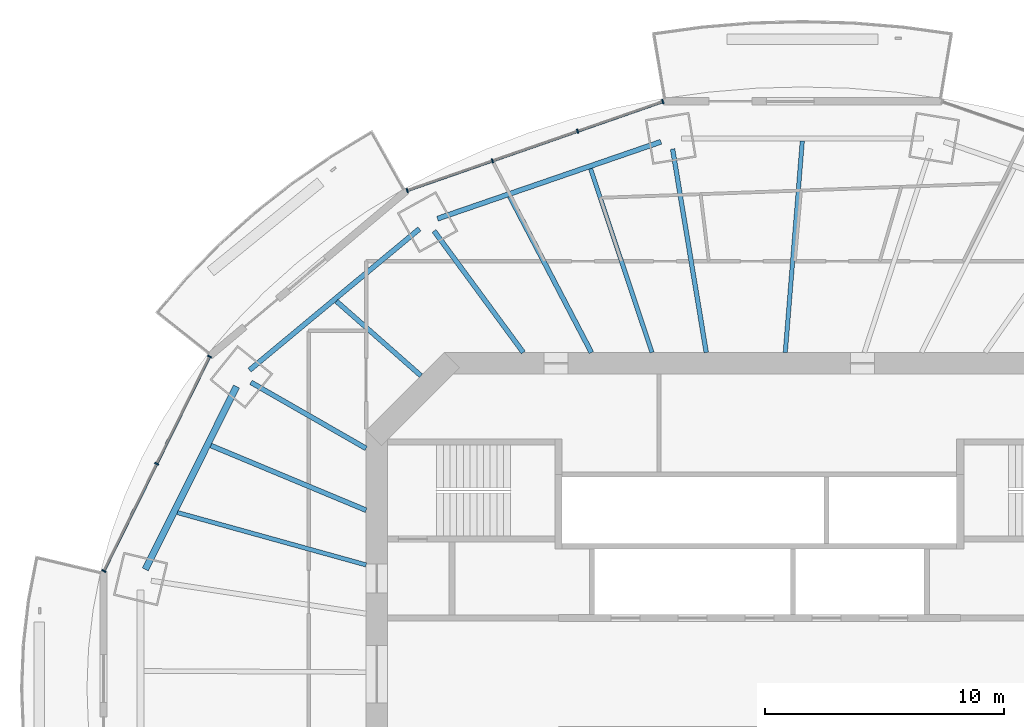
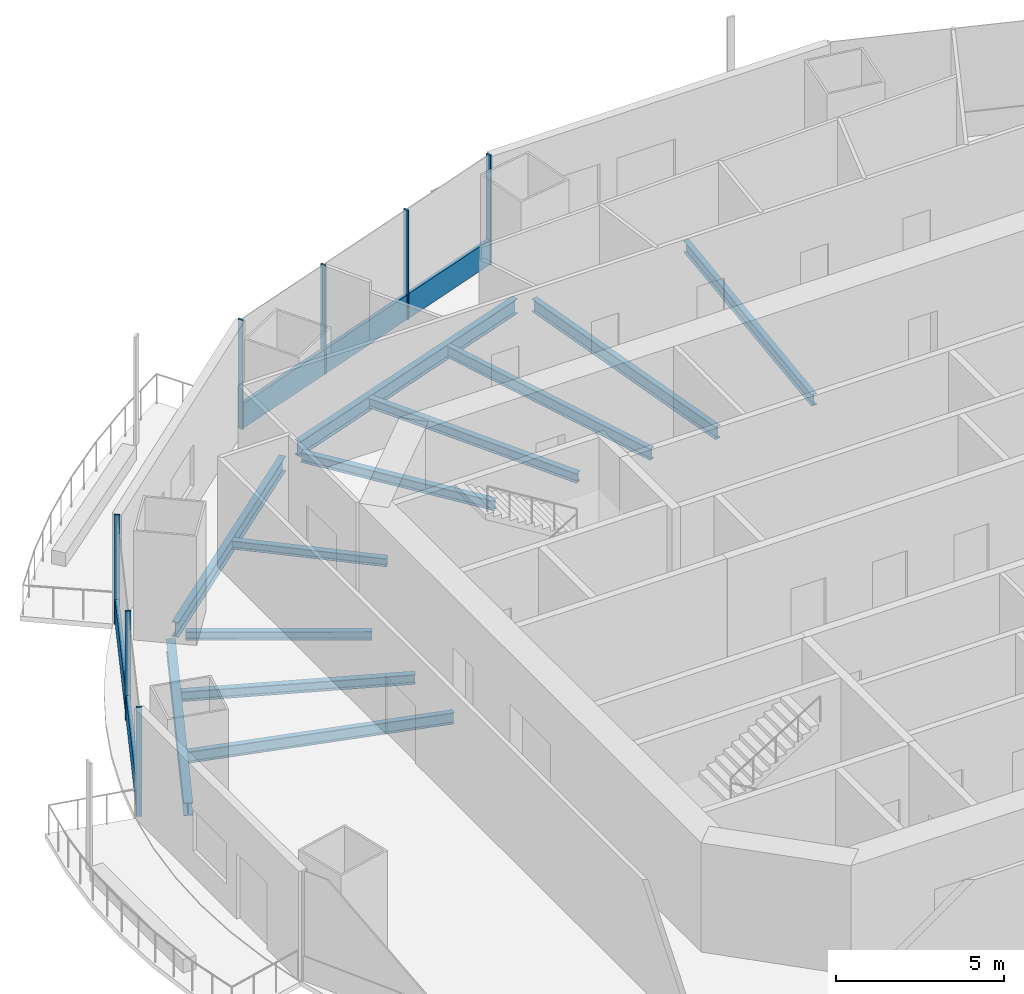
# One storey, part 6 of 19: 12 beams, 9 members, 2 elements without a shape of their own.
"""IFC4 building model written with IfcOpenShell, lengths in metres."""

from ifc_helpers import new_model, si_unit, direction, frame, origin, origin_2d, place, context, subcontext, project, spatial, rectangle, i_section, extrude, material, material_profile, profile_set, type_object, element, aggregate, save


model = new_model("IFC4")

# Units and contexts
model_context = context("Model", 3, precision=1e-05, world=origin(), true_north=direction((0.0, 1.0)))
body_context = subcontext(model_context, "Body", "Model", "MODEL_VIEW")
ifc_project = project(units=[si_unit("LENGTHUNIT", "METRE"), si_unit("AREAUNIT", "SQUARE_METRE"), si_unit("VOLUMEUNIT", "CUBIC_METRE"), si_unit("PLANEANGLEUNIT", "RADIAN"), si_unit("MASSUNIT", "GRAM", prefix="KILO")], contexts=[model_context])

# Site, building, storey
site_placement = place(None, origin())
site = spatial("IfcSite", under=ifc_project, at=site_placement, CompositionType="ELEMENT")
building_placement = place(site_placement, origin())
building = spatial("IfcBuilding", under=site, at=building_placement, Name="Marenthal Gate Tower", CompositionType="ELEMENT")
storey_placement = place(building_placement, frame((0.0, 0.0, 248.199951171875)))
storey = spatial("IfcBuildingStorey", under=building, at=storey_placement, Name="L55", CompositionType="ELEMENT", Elevation=248.199951171875)

# Curtain wall, members
ifc_material_1 = material(Name="Aluminium and glass", Category="aluminium")
curtain_wall_type = type_object("IfcCurtainWallType", Name="Curtain wall typical mid", PredefinedType="NOTDEFINED", material=ifc_material_1)
curtain_wall_1_placement = place(storey_placement, origin())
curtain_wall_1 = element("IfcCurtainWall", 1, at=curtain_wall_1_placement, inside=storey, type_object=curtain_wall_type, Name="Curtain wall L55 bay 5", PredefinedType="NOTDEFINED")
ifc_material_2 = material(Name="Aluminium", Category="aluminium")
ifc_material_profile_1 = material_profile(ifc_material_2, rectangle(XDim=0.179931640625, YDim=0.06005859375, at=origin_2d()), Name="60x180 aluminium mullion")
ifc_profile_set_1 = profile_set([ifc_material_profile_1], Name="Aluminium")
member_type_1 = type_object("IfcMemberType", Name="Mullion 60x180 typical mid", PredefinedType="MULLION", material=ifc_profile_set_1)
member_1_placement = place(storey_placement, frame((-4.042724609375, 23.943115234375, 0.0), z_axis=(0.0, 0.0, 1.0), x_axis=(0.328612003593, -0.944465007872, 0.0)))
member_1 = element("IfcMember", 2, at=member_1_placement, type_object=member_type_1, Name="Mullion L55 bay 5.1", PredefinedType="MULLION", context=body_context, shape_type="SweptSolid", body=[
    extrude(rectangle(XDim=0.179931640625, YDim=0.06005859375, at=origin_2d()), origin(), (0.0, 0.0, 1.0), 3.969970703125),
])
member_2_placement = place(storey_placement, frame((-7.60498046875, 22.70361328125, 0.0), z_axis=(0.0, 0.0, 1.0), x_axis=(0.328612003593, -0.944465007872, 0.0)))
member_2 = element("IfcMember", 3, at=member_2_placement, type_object=member_type_1, Name="Mullion L55 bay 5.2", PredefinedType="MULLION", context=body_context, shape_type="SweptSolid", body=[
    extrude(rectangle(XDim=0.179931640625, YDim=0.06005859375, at=origin_2d()), origin(), (0.0, 0.0, 1.0), 3.969970703125),
])
member_3_placement = place(storey_placement, frame((-11.1669921875, 21.46435546875, 0.0), z_axis=(0.0, 0.0, 1.0), x_axis=(0.328612003593, -0.944465007872, 0.0)))
member_3 = element("IfcMember", 4, at=member_3_placement, type_object=member_type_1, Name="Mullion L55 bay 5.3", PredefinedType="MULLION", context=body_context, shape_type="SweptSolid", body=[
    extrude(rectangle(XDim=0.179931640625, YDim=0.06005859375, at=origin_2d()), origin(), (0.0, 0.0, 1.0), 3.969970703125),
])
member_4_placement = place(storey_placement, frame((-14.729248046875, 20.224853515625, 0.0), z_axis=(0.0, 0.0, 1.0), x_axis=(0.328612003593, -0.944465007872, 0.0)))
member_4 = element("IfcMember", 5, at=member_4_placement, type_object=member_type_1, Name="Mullion L55 bay 5.4", PredefinedType="MULLION", context=body_context, shape_type="SweptSolid", body=[
    extrude(rectangle(XDim=0.179931640625, YDim=0.06005859375, at=origin_2d()), origin(), (0.0, 0.0, 1.0), 3.969970703125),
])

curtain_wall_2_placement = place(storey_placement, origin())
curtain_wall_2 = element("IfcCurtainWall", 6, at=curtain_wall_2_placement, inside=storey, type_object=curtain_wall_type, Name="Curtain wall L55 bay 7", PredefinedType="NOTDEFINED")
member_5_placement = place(storey_placement, frame((-22.99365234375, 13.28125, 0.0), z_axis=(0.0, 0.0, 1.0), x_axis=(0.896882319585, -0.44226926732, 0.0)))
member_5 = element("IfcMember", 7, at=member_5_placement, type_object=member_type_1, Name="Mullion L55 bay 7.1", PredefinedType="MULLION", context=body_context, shape_type="SweptSolid", body=[
    extrude(rectangle(XDim=0.179931640625, YDim=0.06005859375, at=origin_2d()), origin(), (0.0, 0.0, 1.0), 3.969970703125),
])
member_6_placement = place(storey_placement, frame((-25.205322265625, 8.7958984375, 0.0), z_axis=(0.0, 0.0, 1.0), x_axis=(0.896882319585, -0.44226926732, 0.0)))
member_6 = element("IfcMember", 8, at=member_6_placement, type_object=member_type_1, Name="Mullion L55 bay 7.2", PredefinedType="MULLION", context=body_context, shape_type="SweptSolid", body=[
    extrude(rectangle(XDim=0.179931640625, YDim=0.06005859375, at=origin_2d()), origin(), (0.0, 0.0, 1.0), 3.969970703125),
])
member_7_placement = place(storey_placement, frame((-27.4169921875, 4.310791015625, 0.0), z_axis=(0.0, 0.0, 1.0), x_axis=(0.896882319585, -0.44226926732, 0.0)))
member_7 = element("IfcMember", 9, at=member_7_placement, type_object=member_type_1, Name="Mullion L55 bay 7.3", PredefinedType="MULLION", context=body_context, shape_type="SweptSolid", body=[
    extrude(rectangle(XDim=0.179931640625, YDim=0.06005859375, at=origin_2d()), origin(), (0.0, 0.0, 1.0), 3.969970703125),
])

# Member
ifc_material_3 = material(Name="Aluminium", Category="aluminium")
ifc_material_profile_2 = material_profile(ifc_material_3, rectangle(XDim=0.1201171875, YDim=0.89990234375, at=origin_2d()), Name="120x900 aluminium transom")
ifc_profile_set_2 = profile_set([ifc_material_profile_2], Name="Aluminium")
member_type_2 = type_object("IfcMemberType", Name="Transom 120x900 typical mid", PredefinedType="USERDEFINED", material=ifc_profile_set_2)
member_8_placement = place(storey_placement, frame((-4.071044921875, 23.933349609375, 0.449951171875), z_axis=(-0.944458747509, -0.328629995975, 0.0), x_axis=(0.328629995975, -0.944458747509, 0.0)))
member_8 = element("IfcMember", 10, at=member_8_placement, type_object=member_type_2, Name="Transom L55 bay 5", ObjectType="TRANSOM", PredefinedType="USERDEFINED", context=body_context, shape_type="SweptSolid", body=[
    extrude(rectangle(XDim=0.1201171875, YDim=0.89990234375, at=origin_2d()), origin(), (0.0, 0.0, 1.0), 11.2548828125),
])

aggregate(curtain_wall_1, [member_1, member_2, member_3, member_4, member_8])

member_9_placement = place(storey_placement, frame((-23.0068359375, 13.25439453125, 0.449951171875), z_axis=(-0.44226596641, -0.896883947317, 0.0), x_axis=(0.896883947317, -0.44226596641, 0.0)))
member_9 = element("IfcMember", 11, at=member_9_placement, type_object=member_type_2, Name="Transom L55 bay 7", ObjectType="TRANSOM", PredefinedType="USERDEFINED", context=body_context, shape_type="SweptSolid", body=[
    extrude(rectangle(XDim=0.1201171875, YDim=0.89990234375, at=origin_2d()), origin(), (0.0, 0.0, 1.0), 9.94189453125),
])

aggregate(curtain_wall_2, [member_5, member_6, member_7, member_9])

# Beams
ifc_material_4 = material(Name="Steel S355", Category="steel")
ifc_material_profile_3 = material_profile(ifc_material_4, i_section(OverallWidth=0.202880859375, OverallDepth=0.302001953125, WebThickness=0.007568359375, FlangeThickness=0.01318359375, FilletRadius=0.0126953125, at=origin_2d()), Name="W310X60")
ifc_profile_set_3 = profile_set([ifc_material_profile_3], Name="Steel S355")
beam_type_1 = type_object("IfcBeamType", Name="W310X60 beam", PredefinedType="BEAM", material=ifc_profile_set_3)
beam_1_placement = place(storey_placement, frame((-17.692626953125, 15.5947265625, -0.3310546875), z_axis=(0.750161328075, -0.661254853941, 0.0), x_axis=(0.661254853941, 0.750161328075, 0.0)))
element("IfcBeam", 12, at=beam_1_placement, inside=storey, type_object=beam_type_1, Name="BM-L55-25", PredefinedType="BEAM", context=body_context, shape_type="SweptSolid", body=[
    extrude(i_section(OverallWidth=0.202880859375, OverallDepth=0.302001953125, WebThickness=0.007568359375, FlangeThickness=0.01318359375, FilletRadius=0.0126953125, at=origin_2d()), origin(), (0.0, 0.0, 1.0), 4.712158203125),
])
ifc_material_5 = material(Name="Steel S355", Category="steel")
ifc_material_profile_4 = material_profile(ifc_material_5, i_section(OverallWidth=0.205078125, OverallDepth=0.31005859375, WebThickness=0.009521484375, FlangeThickness=0.016357421875, FilletRadius=0.0126953125, at=origin_2d()), Name="W310X74")
ifc_profile_set_4 = profile_set([ifc_material_profile_4], Name="Steel S355")
beam_type_2 = type_object("IfcBeamType", Name="W310X74 beam", PredefinedType="BEAM", material=ifc_profile_set_4)
beam_2_placement = place(storey_placement, frame((-21.26611328125, 12.200439453125, -0.3349609375), z_axis=(0.86740037099, -0.497610888553, 0.0), x_axis=(0.497610888553, 0.86740037099, 0.0)))
element("IfcBeam", 13, at=beam_2_placement, inside=storey, type_object=beam_type_2, Name="BM-L55-07", PredefinedType="BEAM", context=body_context, shape_type="SweptSolid", body=[
    extrude(i_section(OverallWidth=0.205078125, OverallDepth=0.31005859375, WebThickness=0.009521484375, FlangeThickness=0.016357421875, FilletRadius=0.0126953125, at=origin_2d()), origin(), (0.0, 0.0, 1.0), 5.552490234375),
])
ifc_material_6 = material(Name="Steel S355", Category="steel")
ifc_material_profile_5 = material_profile(ifc_material_6, i_section(OverallWidth=0.205078125, OverallDepth=0.35302734375, WebThickness=0.009521484375, FlangeThickness=0.016845703125, FilletRadius=0.014892578125, at=origin_2d()), Name="W360X79")
ifc_profile_set_5 = profile_set([ifc_material_profile_5], Name="Steel S355")
beam_type_3 = type_object("IfcBeamType", Name="W360X79 beam", PredefinedType="BEAM", material=ifc_profile_set_5)
beam_3_placement = place(storey_placement, frame((-13.60888671875, 18.532470703125, -0.3564453125), z_axis=(0.591878847572, -0.806026941111, 0.0), x_axis=(0.806026941111, 0.591878847572, 0.0)))
element("IfcBeam", 14, at=beam_3_placement, inside=storey, type_object=beam_type_3, Name="BM-L55-06", PredefinedType="BEAM", context=body_context, shape_type="SweptSolid", body=[
    extrude(i_section(OverallWidth=0.205078125, OverallDepth=0.35302734375, WebThickness=0.009521484375, FlangeThickness=0.016845703125, FilletRadius=0.014892578125, at=origin_2d()), origin(), (0.0, 0.0, 1.0), 6.3056640625),
])
beam_4_placement = place(storey_placement, frame((-10.43896484375, 19.9736328125, -0.3564453125), z_axis=(0.463181387721, -0.886263506001, 0.0), x_axis=(0.886263506001, 0.463181387721, 0.0)))
element("IfcBeam", 15, at=beam_4_placement, inside=storey, type_object=beam_type_3, Name="BM-L55-24", PredefinedType="BEAM", context=body_context, shape_type="SweptSolid", body=[
    extrude(i_section(OverallWidth=0.205078125, OverallDepth=0.35302734375, WebThickness=0.009521484375, FlangeThickness=0.016845703125, FilletRadius=0.014892578125, at=origin_2d()), origin(), (0.0, 0.0, 1.0), 7.36083984375),
])
beam_5_placement = place(storey_placement, frame((-22.9423828125, 9.558349609375, -0.3564453125), z_axis=(0.923094380789, -0.384573483427, 0.0), x_axis=(0.384573483427, 0.923094380789, 0.0)))
element("IfcBeam", 16, at=beam_5_placement, inside=storey, type_object=beam_type_3, Name="BM-L55-26", PredefinedType="BEAM", context=body_context, shape_type="SweptSolid", body=[
    extrude(i_section(OverallWidth=0.205078125, OverallDepth=0.35302734375, WebThickness=0.009521484375, FlangeThickness=0.016845703125, FilletRadius=0.014892578125, at=origin_2d()), origin(), (0.0, 0.0, 1.0), 7.033447265625),
])
ifc_material_7 = material(Name="Steel S355", Category="steel")
ifc_material_profile_6 = material_profile(ifc_material_7, i_section(OverallWidth=0.180908203125, OverallDepth=0.4169921875, WebThickness=0.010986328125, FlangeThickness=0.018310546875, FilletRadius=0.01025390625, at=origin_2d()), Name="W410X85")
ifc_profile_set_6 = profile_set([ifc_material_profile_6], Name="Steel S355")
beam_type_4 = type_object("IfcBeamType", Name="W410X85 beam", PredefinedType="BEAM", material=ifc_profile_set_6)
beam_6_placement = place(storey_placement, frame((1.79150390625, 22.29736328125, -0.388427734375), z_axis=(-0.080097240618, -0.996787054513, 0.0), x_axis=(0.996787054513, -0.080097240618, 0.0)))
element("IfcBeam", 17, at=beam_6_placement, inside=storey, type_object=beam_type_4, Name="BM-L55-22", PredefinedType="BEAM", context=body_context, shape_type="SweptSolid", body=[
    extrude(i_section(OverallWidth=0.180908203125, OverallDepth=0.4169921875, WebThickness=0.010986328125, FlangeThickness=0.018310546875, FilletRadius=0.01025390625, at=origin_2d()), origin(), (0.0, 0.0, 1.0), 8.8759765625),
])
beam_7_placement = place(storey_placement, frame((-7.063720703125, 21.135498046875, -0.388427734375), z_axis=(0.316977857113, -0.948432938114, 0.0), x_axis=(0.948432938114, 0.316977857113, 0.0)))
element("IfcBeam", 18, at=beam_7_placement, inside=storey, type_object=beam_type_4, Name="BM-L55-23", PredefinedType="BEAM", context=body_context, shape_type="SweptSolid", body=[
    extrude(i_section(OverallWidth=0.180908203125, OverallDepth=0.4169921875, WebThickness=0.010986328125, FlangeThickness=0.018310546875, FilletRadius=0.01025390625, at=origin_2d()), origin(), (0.0, 0.0, 1.0), 8.103515625),
])
beam_8_placement = place(storey_placement, frame((-24.339111328125, 6.755859375, -0.388427734375), z_axis=(0.963564887166, -0.267474687067, 0.0), x_axis=(0.267474687067, 0.963564887166, 0.0)))
element("IfcBeam", 19, at=beam_8_placement, inside=storey, type_object=beam_type_4, Name="BM-L55-27", PredefinedType="BEAM", context=body_context, shape_type="SweptSolid", body=[
    extrude(i_section(OverallWidth=0.180908203125, OverallDepth=0.4169921875, WebThickness=0.010986328125, FlangeThickness=0.018310546875, FilletRadius=0.01025390625, at=origin_2d()), origin(), (0.0, 0.0, 1.0), 8.1875),
])
ifc_material_8 = material(Name="Steel S355", Category="steel")
ifc_material_profile_7 = material_profile(ifc_material_8, i_section(OverallWidth=0.279052734375, OverallDepth=0.4619140625, WebThickness=0.0107421875, FlangeThickness=0.017333984375, FilletRadius=0.010009765625, at=origin_2d()), Name="W460X113")
ifc_profile_set_7 = profile_set([ifc_material_profile_7], Name="Steel S355")
beam_type_5 = type_object("IfcBeamType", Name="W460X113 beam", PredefinedType="BEAM", material=ifc_profile_set_7)
beam_9_placement = place(storey_placement, frame((-21.865966796875, 12.030517578125, -0.410888671875), z_axis=(-0.446082541832, -0.894991824472, 0.0), x_axis=(0.894991824472, -0.446082541832, 0.0)))
element("IfcBeam", 20, at=beam_9_placement, inside=storey, type_object=beam_type_5, Name="BM-L55-47", PredefinedType="BEAM", context=body_context, shape_type="SweptSolid", body=[
    extrude(i_section(OverallWidth=0.279052734375, OverallDepth=0.4619140625, WebThickness=0.0107421875, FlangeThickness=0.017333984375, FilletRadius=0.010009765625, at=origin_2d()), origin(), (0.0, 0.0, 1.0), 8.550537109375),
])
ifc_material_9 = material(Name="Steel S355", Category="steel")
ifc_material_profile_8 = material_profile(ifc_material_9, i_section(OverallWidth=0.193115234375, OverallDepth=0.467041015625, WebThickness=0.011474609375, FlangeThickness=0.01904296875, FilletRadius=0.010009765625, at=origin_2d()), Name="W460X97")
ifc_profile_set_8 = profile_set([ifc_material_profile_8], Name="Steel S355")
beam_type_6 = type_object("IfcBeamType", Name="W460X97 beam", PredefinedType="BEAM", material=ifc_profile_set_8)
beam_10_placement = place(storey_placement, frame((-3.632568359375, 21.959228515625, -0.413330078125), z_axis=(0.163214591052, -0.98659059253, 0.0), x_axis=(0.98659059253, 0.163214591052, 0.0)))
element("IfcBeam", 21, at=beam_10_placement, inside=storey, type_object=beam_type_6, Name="BM-L55-05", PredefinedType="BEAM", context=body_context, shape_type="SweptSolid", body=[
    extrude(i_section(OverallWidth=0.193115234375, OverallDepth=0.467041015625, WebThickness=0.011474609375, FlangeThickness=0.01904296875, FilletRadius=0.010009765625, at=origin_2d()), origin(), (0.0, 0.0, 1.0), 8.625),
])
ifc_material_10 = material(Name="Steel S355", Category="steel")
ifc_material_profile_9 = material_profile(ifc_material_10, i_section(OverallWidth=0.2119140625, OverallDepth=0.5439453125, WebThickness=0.01318359375, FlangeThickness=0.021240234375, FilletRadius=0.0126953125, at=origin_2d()), Name="W530X123")
ifc_profile_set_9 = profile_set([ifc_material_profile_9], Name="Steel S355")
beam_type_7 = type_object("IfcBeamType", Name="W530X123 beam", PredefinedType="BEAM", material=ifc_profile_set_9)
beam_11_placement = place(storey_placement, frame((-4.120361328125, 22.2607421875, -0.451904296875), z_axis=(-0.945544815575, -0.325491938056, 0.0), x_axis=(0.325491938056, -0.945544815575, 0.0)))
element("IfcBeam", 22, at=beam_11_placement, inside=storey, type_object=beam_type_7, Name="BM-L55-45", PredefinedType="BEAM", context=body_context, shape_type="SweptSolid", body=[
    extrude(i_section(OverallWidth=0.2119140625, OverallDepth=0.5439453125, WebThickness=0.01318359375, FlangeThickness=0.021240234375, FilletRadius=0.0126953125, at=origin_2d()), origin(), (0.0, 0.0, 1.0), 9.882080078125),
])
beam_12_placement = place(storey_placement, frame((-14.21923828125, 18.619140625, -0.451904296875), z_axis=(-0.769104243953, -0.639123354239, 0.0), x_axis=(0.639123354239, -0.769104243953, 0.0)))
element("IfcBeam", 23, at=beam_12_placement, inside=storey, type_object=beam_type_7, Name="BM-L55-46", PredefinedType="BEAM", context=body_context, shape_type="SweptSolid", body=[
    extrude(i_section(OverallWidth=0.2119140625, OverallDepth=0.5439453125, WebThickness=0.01318359375, FlangeThickness=0.021240234375, FilletRadius=0.0126953125, at=origin_2d()), origin(), (0.0, 0.0, 1.0), 9.2392578125),
])

save(model, "model.ifc")
